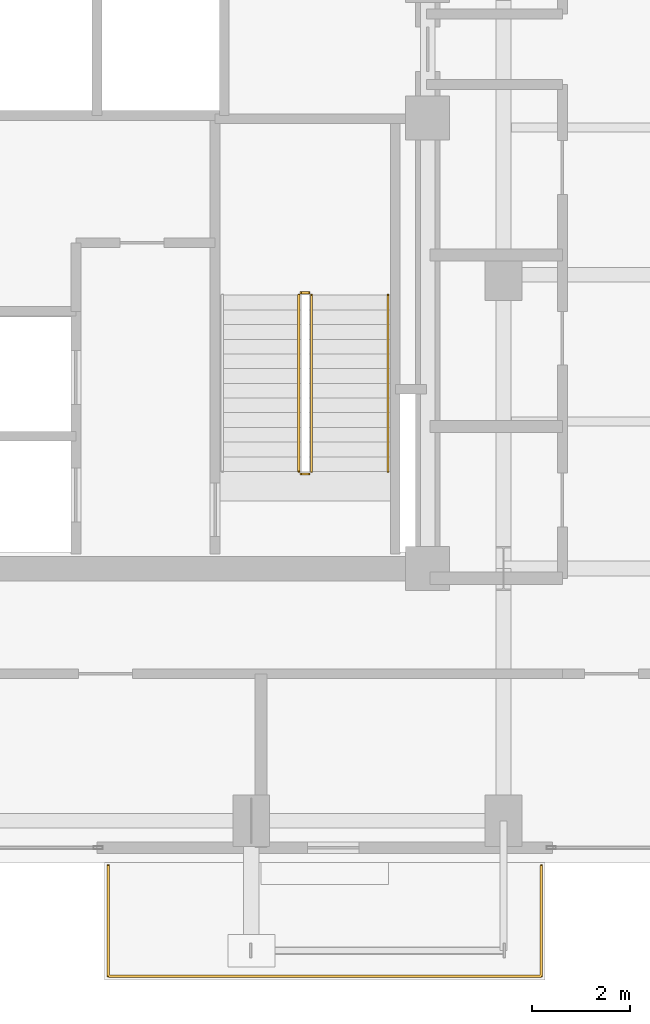
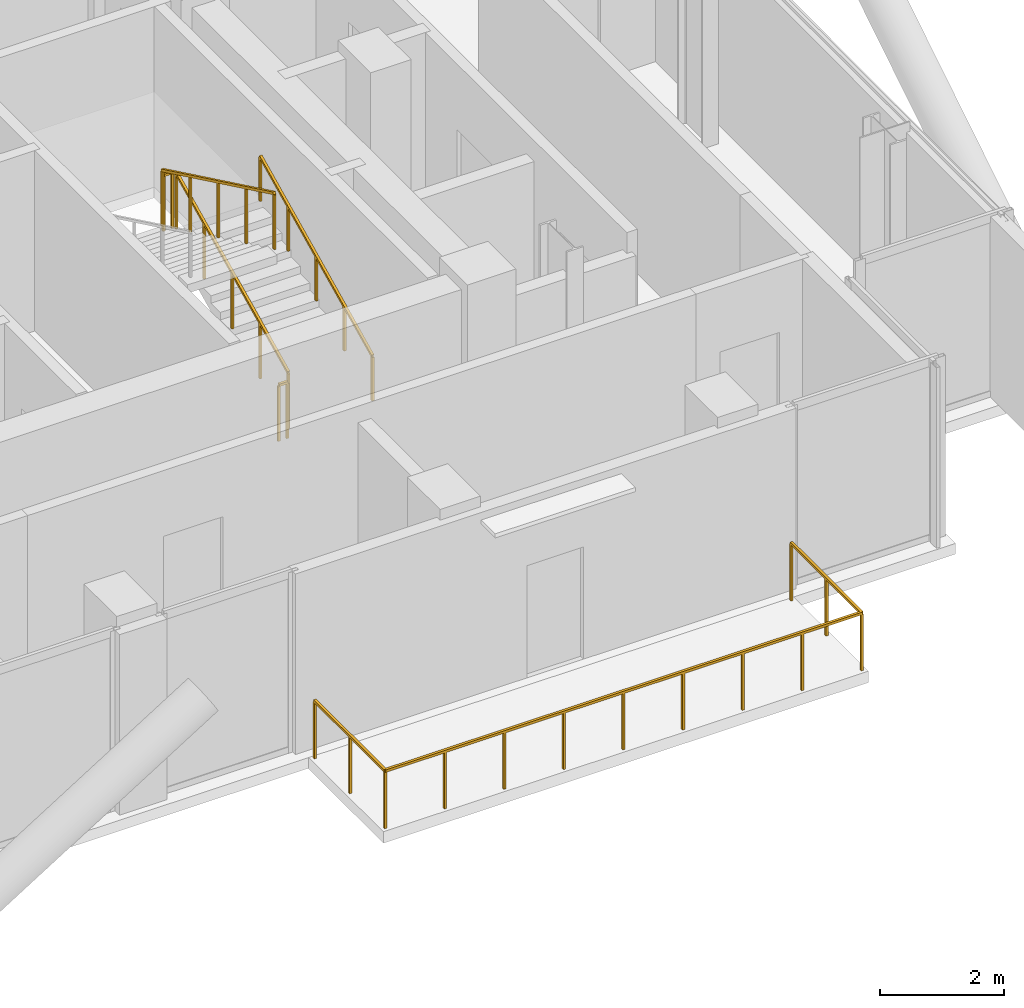
# One storey, part 26 of 26: 6 railings.
"""IFC4 building model written with IfcOpenShell, lengths in metres."""

import ifcopenshell
import ifcopenshell.guid

model = None  # the IFC model being written
_history = None  # IfcOwnerHistory: only IFC2X3 demands one
_inside = {}  # id of a spatial element -> (the spatial element, [elements in it])
_under = {}  # id of a project, library or spatial element -> (it, [spatial elements below it])
_declared = {}  # id of a project -> (the project, [libraries it declares])
_typed = {}  # id of a type object -> (the type object, [elements of that type])
_made_of = {}  # id of a material, layer set ... -> (it, [elements and type objects made of it])


def new_model(schema):
    """Start an empty IFC model of exactly this schema.

    Asked for "IFC4X3", IfcOpenShell would pick the latest addendum, in which some entities
    have other attributes; the version numbers below select the first issue.
    IFC2X3 requires an IfcOwnerHistory on every rooted entity: one is made here for all.
    """
    global model, _history
    if schema == "IFC4X3":
        model = ifcopenshell.file(schema_version=(4, 3, 0, 0))
    else:
        model = ifcopenshell.file(schema=schema)
    _inside.clear()
    _under.clear()
    _declared.clear()
    _typed.clear()
    _made_of.clear()
    _history = None
    if model.schema == "IFC2X3":
        org = make("IfcOrganization", Name="unknown")
        user = make(
            "IfcPersonAndOrganization",
            ThePerson=make("IfcPerson", FamilyName="unknown"),
            TheOrganization=org,
        )
        app = make(
            "IfcApplication",
            ApplicationDeveloper=org,
            Version="unknown",
            ApplicationFullName="unknown",
            ApplicationIdentifier="unknown",
        )
        _history = make(
            "IfcOwnerHistory",
            OwningUser=user,
            OwningApplication=app,
            ChangeAction="ADDED",
            CreationDate=0,
        )
    return model


def make(cls, **values):
    """One entity of the class cls with the attributes given. An attribute that is None is left unset."""
    return model.create_entity(
        cls, **{name: value for name, value in values.items() if value is not None}
    )


def rooted(cls, **values):
    """An entity with a GlobalId (a new one), such as an element, a storey or a relation."""
    return make(cls, GlobalId=ifcopenshell.guid.new(), OwnerHistory=_history, **values)


def si_unit(unit_type, name, prefix=None):
    """IfcSIUnit, for example si_unit("LENGTHUNIT", "METRE", prefix="MILLI")."""
    return make("IfcSIUnit", UnitType=unit_type, Prefix=prefix, Name=name)


def assignment(units):
    """IfcUnitAssignment: the units of a project."""
    return None if units is None else make("IfcUnitAssignment", Units=units)


def point(xyz):
    """IfcCartesianPoint."""
    return None if xyz is None else make("IfcCartesianPoint", Coordinates=xyz)


def direction(xyz):
    """IfcDirection."""
    return None if xyz is None else make("IfcDirection", DirectionRatios=xyz)


def frame(location, z_axis=None, x_axis=None):
    """IfcAxis2Placement3D, a coordinate frame: its origin and axes. An axis left out is left unset."""
    return make(
        "IfcAxis2Placement3D",
        Location=point(location),
        Axis=direction(z_axis),
        RefDirection=direction(x_axis),
    )


def frame_2d(location, x_axis=None):
    """IfcAxis2Placement2D, a coordinate frame in the plane: its origin and x axis."""
    return make(
        "IfcAxis2Placement2D", Location=point(location), RefDirection=direction(x_axis)
    )


def origin():
    """The frame at (0, 0, 0) with its axes left unset."""
    return frame((0.0, 0.0, 0.0))


def origin_2d():
    """The frame at (0, 0) in the plane with its x axis left unset."""
    return frame_2d((0.0, 0.0))


def place(relative_to, where):
    """IfcLocalPlacement: puts the frame where relative to a parent placement (None: the world)."""
    return make(
        "IfcLocalPlacement", PlacementRelTo=relative_to, RelativePlacement=where
    )


def context(
    kind, dimensions, precision=None, world=None, true_north=None, identifier=None
):
    """IfcGeometricRepresentationContext, for example the 3D "Model" context."""
    return make(
        "IfcGeometricRepresentationContext",
        ContextIdentifier=identifier,
        ContextType=kind,
        CoordinateSpaceDimension=dimensions,
        Precision=precision,
        WorldCoordinateSystem=world,
        TrueNorth=true_north,
    )


def subcontext(parent, identifier, kind, view, scale=None):
    """IfcGeometricRepresentationSubContext, for example "Body" below "Model"."""
    return make(
        "IfcGeometricRepresentationSubContext",
        ContextIdentifier=identifier,
        ContextType=kind,
        ParentContext=parent,
        TargetScale=scale,
        TargetView=view,
    )


def project(units=None, contexts=None):
    """IfcProject with its units and contexts."""
    return rooted(
        "IfcProject",
        Name="project",
        RepresentationContexts=contexts,
        UnitsInContext=assignment(units),
    )


def spatial(cls, under=None, at=None, **own):
    """A site, building, storey or space (cls), placed at a placement, below another one or the project."""
    s = rooted(cls, ObjectPlacement=at, **own)
    if under is not None:
        _under.setdefault(under.id(), (under, []))[1].append(s)
    return s


def profile(cls, at=None, kind="AREA", **sizes):
    """A parametric profile (cls). Its sizes go by their IFC names, for example OverallWidth=200.0."""
    return make(cls, ProfileType=kind, Position=at, **sizes)


def rectangle(**sizes):
    """IfcRectangleProfileDef."""
    return profile("IfcRectangleProfileDef", **sizes)


def extrude(swept, where, along, depth):
    """IfcExtrudedAreaSolid: the profile swept, set in the frame where, extruded along a direction by depth."""
    return make(
        "IfcExtrudedAreaSolid",
        SweptArea=swept,
        Position=where,
        ExtrudedDirection=direction(along),
        Depth=depth,
    )


def shape(context_of_items, identifier, shape_type, items):
    """IfcShapeRepresentation: the items that make up one representation, for example the "Body"."""
    return make(
        "IfcShapeRepresentation",
        ContextOfItems=context_of_items,
        RepresentationIdentifier=identifier,
        RepresentationType=shape_type,
        Items=items,
    )


def material(Name=None, Category=None):
    """IfcMaterial."""
    return make("IfcMaterial", Name=Name, Category=Category)


def made_of(thing, what):
    """Note that an element or type object is made of a material, layer set ...; save() writes the relation."""
    if what is not None:
        _made_of.setdefault(what.id(), (what, []))[1].append(thing)
    return thing


def type_object(cls, material=None, **own):
    """A type object (cls), such as IfcWallType, which elements share."""
    return made_of(rooted(cls, **own), material)


def element(
    cls,
    number,
    at=None,
    inside=None,
    cuts=None,
    type_object=None,
    material=None,
    context=None,
    identifier="Body",
    shape_type=None,
    held_by="IfcProductDefinitionShape",
    body=None,
    shapes=None,
    **own,
):
    """One element of the class cls, such as IfcWall. Its Tag is "e" and its number.

    at: its placement. inside: the storey or other place that contains it. cuts: it is an
    opening in that element (IfcRelVoidsElement). A single representation is given by context,
    identifier, shape_type and body (its items); several are given by shapes. held_by: the class
    of the entity that holds the representations. save() writes the other relations.
    """
    e = rooted(cls, Tag="e%d" % number, ObjectPlacement=at, **own)
    if body is not None:
        shapes = [shape(context, identifier, shape_type, body)]
    if shapes is not None:
        e.Representation = make(held_by, Representations=shapes)
    if inside is not None:
        _inside.setdefault(inside.id(), (inside, []))[1].append(e)
    if cuts is not None:
        rooted(
            "IfcRelVoidsElement", RelatingBuildingElement=cuts, RelatedOpeningElement=e
        )
    if type_object is not None:
        _typed.setdefault(type_object.id(), (type_object, []))[1].append(e)
    return made_of(e, material)


def aggregate(whole, parts):
    """IfcRelAggregates: a whole, such as a stair, and the parts it consists of."""
    return rooted("IfcRelAggregates", RelatingObject=whole, RelatedObjects=parts)


def save(model, path):
    """Write the relations noted so far, then the file.

    IfcRelAggregates (storeys below a building ...), IfcRelContainedInSpatialStructure (elements
    in a storey), IfcRelDefinesByType, IfcRelAssociatesMaterial and IfcRelDeclares: one each for
    every whole, place, type object, material and project.
    """
    for whole, parts in _under.values():
        aggregate(whole, parts)
    for where, things in _inside.values():
        rooted(
            "IfcRelContainedInSpatialStructure",
            RelatedElements=things,
            RelatingStructure=where,
        )
    for kind, things in _typed.values():
        rooted("IfcRelDefinesByType", RelatedObjects=things, RelatingType=kind)
    for what, things in _made_of.values():
        rooted("IfcRelAssociatesMaterial", RelatedObjects=things, RelatingMaterial=what)
    for by, libraries in _declared.values():
        rooted("IfcRelDeclares", RelatingContext=by, RelatedDefinitions=libraries)
    model.write(path)


model = new_model("IFC4")

# Units and contexts
model_context = context("Model", 3, precision=1e-05, world=origin(), true_north=direction((0.0, 1.0)))
body_context = subcontext(model_context, "Body", "Model", "MODEL_VIEW")
ifc_project = project(units=[si_unit("LENGTHUNIT", "METRE"), si_unit("AREAUNIT", "SQUARE_METRE"), si_unit("VOLUMEUNIT", "CUBIC_METRE"), si_unit("PLANEANGLEUNIT", "RADIAN"), si_unit("MASSUNIT", "GRAM", prefix="KILO"), si_unit("THERMODYNAMICTEMPERATUREUNIT", "KELVIN"), si_unit("POWERUNIT", "WATT")], contexts=[model_context])

# Site, building, storey
site_placement = place(None, origin())
site = spatial("IfcSite", under=ifc_project, at=site_placement, CompositionType="ELEMENT")
building_placement = place(site_placement, origin())
building = spatial("IfcBuilding", under=site, at=building_placement, Name="Svarakhadi Broadcast Tower", CompositionType="ELEMENT")
storey_placement = place(building_placement, frame((0.0, 0.0, 180.449951171875)))
storey = spatial("IfcBuildingStorey", under=building, at=storey_placement, Name="L44", CompositionType="ELEMENT", Elevation=180.449951171875)

# Railings
ifc_material_1 = material(Name="Laminated Structural SentryGlas Balustrade 25.5 mm", Category="glass")
railing_type_1 = type_object("IfcRailingType", Name="Guard_Balcony_GR01", PredefinedType="BALUSTRADE", material=ifc_material_1)
railing_1_placement = place(storey_placement, frame((27.080078125, -0.06005859375, 0.0)))
element("IfcRailing", 1, at=railing_1_placement, inside=storey, type_object=railing_type_1, Name="L44 South Tree Balcony Guard GR-05", PredefinedType="BALUSTRADE", context=body_context, shape_type="SweptSolid", body=[
    extrude(rectangle(XDim=0.048095703125, YDim=0.048095703125, at=origin_2d()), frame((0.0, 0.0, 1.1259765625), z_axis=(0.0, -1.0, 0.0), x_axis=(1.0, 0.0, 0.0)), (0.0, 0.0, 1.0), 2.260009765625),
    extrude(rectangle(XDim=0.048095703125, YDim=0.048095703125, at=origin_2d()), frame((0.0, -2.260009765625, 1.1259765625), z_axis=(1.0, 0.0, 0.0), x_axis=(0.0, 1.0, 0.0)), (0.0, 0.0, 1.0), 8.83984375),
    extrude(rectangle(XDim=0.048095703125, YDim=0.048095703125, at=origin_2d()), frame((8.83984375, -2.260009765625, 1.1259765625), z_axis=(0.0, 1.0, 0.0), x_axis=(-1.0, 0.0, 0.0)), (0.0, 0.0, 1.0), 2.260009765625),
    extrude(rectangle(XDim=0.0419921875, YDim=0.0419921875, at=origin_2d()), origin(), (0.0, 0.0, 1.0), 1.101806640625),
    extrude(rectangle(XDim=0.0419921875, YDim=0.0419921875, at=origin_2d()), frame((0.0, -1.1298828125, 0.0)), (0.0, 0.0, 1.0), 1.101806640625),
    extrude(rectangle(XDim=0.0419921875, YDim=0.0419921875, at=origin_2d()), frame((0.0, -2.260009765625, 0.0)), (0.0, 0.0, 1.0), 1.101806640625),
    extrude(rectangle(XDim=0.0419921875, YDim=0.0419921875, at=origin_2d()), frame((1.10498046875, -2.260009765625, 0.0)), (0.0, 0.0, 1.0), 1.101806640625),
    extrude(rectangle(XDim=0.0419921875, YDim=0.0419921875, at=origin_2d()), frame((2.2099609375, -2.260009765625, 0.0)), (0.0, 0.0, 1.0), 1.101806640625),
    extrude(rectangle(XDim=0.0419921875, YDim=0.0419921875, at=origin_2d()), frame((3.31494140625, -2.260009765625, 0.0)), (0.0, 0.0, 1.0), 1.101806640625),
    extrude(rectangle(XDim=0.0419921875, YDim=0.0419921875, at=origin_2d()), frame((4.419921875, -2.260009765625, 0.0)), (0.0, 0.0, 1.0), 1.101806640625),
    extrude(rectangle(XDim=0.0419921875, YDim=0.0419921875, at=origin_2d()), frame((5.52490234375, -2.260009765625, 0.0)), (0.0, 0.0, 1.0), 1.101806640625),
    extrude(rectangle(XDim=0.0419921875, YDim=0.0419921875, at=origin_2d()), frame((6.6298828125, -2.260009765625, 0.0)), (0.0, 0.0, 1.0), 1.101806640625),
    extrude(rectangle(XDim=0.0419921875, YDim=0.0419921875, at=origin_2d()), frame((7.73486328125, -2.260009765625, 0.0)), (0.0, 0.0, 1.0), 1.101806640625),
    extrude(rectangle(XDim=0.0419921875, YDim=0.0419921875, at=origin_2d()), frame((8.83984375, -2.260009765625, 0.0)), (0.0, 0.0, 1.0), 1.101806640625),
    extrude(rectangle(XDim=0.0419921875, YDim=0.0419921875, at=origin_2d()), frame((8.83984375, -1.1298828125, 0.0)), (0.0, 0.0, 1.0), 1.101806640625),
    extrude(rectangle(XDim=0.0419921875, YDim=0.0419921875, at=origin_2d()), frame((8.83984375, 0.0, 0.0)), (0.0, 0.0, 1.0), 1.101806640625),
])
ifc_material_2 = material(Name="Anodised Bronze Aluminium AA 6063-T6", Category="aluminium")
railing_type_2 = type_object("IfcRailingType", Name="Guard_Stair_GR01", PredefinedType="GUARDRAIL", material=ifc_material_2)
railing_2_placement = place(storey_placement, frame((31.22998046875, 7.97998046875, 0.144287109375)))
element("IfcRailing", 2, at=railing_2_placement, inside=storey, type_object=railing_type_2, Name="L44 ST-02 stair guard 1", PredefinedType="GUARDRAIL", context=body_context, shape_type="SweptSolid", body=[
    extrude(rectangle(XDim=0.048095703125, YDim=0.048095703125, at=origin_2d()), frame((0.0, 0.0, 1.09619140625), z_axis=(0.0, 0.901262522062, 0.433273431364), x_axis=(-1.0, 0.0, 0.0)), (0.0, 0.0, 1.0), 3.994384765625),
    extrude(rectangle(XDim=0.0419921875, YDim=0.0419921875, at=origin_2d()), origin(), (0.0, 0.0, 1.0), 1.072021484375),
    extrude(rectangle(XDim=0.0419921875, YDim=0.0419921875, at=origin_2d()), frame((0.0, 0.89990234375, 0.4326171875)), (0.0, 0.0, 1.0), 1.072021484375),
    extrude(rectangle(XDim=0.0419921875, YDim=0.0419921875, at=origin_2d()), frame((0.0, 1.800048828125, 0.865234375)), (0.0, 0.0, 1.0), 1.072021484375),
    extrude(rectangle(XDim=0.0419921875, YDim=0.0419921875, at=origin_2d()), frame((0.0, 2.7001953125, 1.298095703125)), (0.0, 0.0, 1.0), 1.072021484375),
    extrude(rectangle(XDim=0.0419921875, YDim=0.0419921875, at=origin_2d()), frame((0.0, 3.60009765625, 1.730712890625)), (0.0, 0.0, 1.0), 1.072021484375),
])
railing_3_placement = place(storey_placement, frame((31.179931640625, 11.6298828125, 1.875)))
element("IfcRailing", 3, at=railing_3_placement, inside=storey, type_object=railing_type_2, Name="L44 ST-02 stair guard 2", PredefinedType="GUARDRAIL", context=body_context, shape_type="SweptSolid", body=[
    extrude(rectangle(XDim=0.048095703125, YDim=0.048095703125, at=origin_2d()), frame((0.0, 0.0, 1.09619140625), z_axis=(-1.0, 0.0, 0.0), x_axis=(0.0, -1.0, 0.0)), (0.0, 0.0, 1.0), 0.159912109375),
    extrude(rectangle(XDim=0.0419921875, YDim=0.0419921875, at=origin_2d()), origin(), (0.0, 0.0, 1.0), 1.072021484375),
    extrude(rectangle(XDim=0.0419921875, YDim=0.0419921875, at=origin_2d()), frame((-0.159912109375, 0.0, 0.0)), (0.0, 0.0, 1.0), 1.072021484375),
])
railing_4_placement = place(storey_placement, frame((30.969970703125, 11.580078125, 2.019287109375)))
element("IfcRailing", 4, at=railing_4_placement, inside=storey, type_object=railing_type_2, Name="L44 ST-02 stair guard 3", PredefinedType="GUARDRAIL", context=body_context, shape_type="SweptSolid", body=[
    extrude(rectangle(XDim=0.048095703125, YDim=0.048095703125, at=origin_2d()), frame((0.0, 0.0, 1.09619140625), z_axis=(0.0, -0.901262522062, 0.433273431364), x_axis=(1.0, 0.0, 0.0)), (0.0, 0.0, 1.0), 3.994384765625),
    extrude(rectangle(XDim=0.0419921875, YDim=0.0419921875, at=origin_2d()), origin(), (0.0, 0.0, 1.0), 1.072021484375),
    extrude(rectangle(XDim=0.0419921875, YDim=0.0419921875, at=origin_2d()), frame((0.0, -0.89990234375, 0.4326171875)), (0.0, 0.0, 1.0), 1.072021484375),
    extrude(rectangle(XDim=0.0419921875, YDim=0.0419921875, at=origin_2d()), frame((0.0, -1.800048828125, 0.865234375)), (0.0, 0.0, 1.0), 1.072021484375),
    extrude(rectangle(XDim=0.0419921875, YDim=0.0419921875, at=origin_2d()), frame((0.0, -2.7001953125, 1.298095703125)), (0.0, 0.0, 1.0), 1.072021484375),
    extrude(rectangle(XDim=0.0419921875, YDim=0.0419921875, at=origin_2d()), frame((0.0, -3.60009765625, 1.730712890625)), (0.0, 0.0, 1.0), 1.072021484375),
])
railing_5_placement = place(storey_placement, frame((31.179931640625, 7.929931640625, 0.0)))
element("IfcRailing", 5, at=railing_5_placement, inside=storey, type_object=railing_type_2, Name="L44 ST-02 stair guard 4", PredefinedType="GUARDRAIL", context=body_context, shape_type="SweptSolid", body=[
    extrude(rectangle(XDim=0.048095703125, YDim=0.048095703125, at=origin_2d()), frame((0.0, 0.0, 1.09619140625), z_axis=(-1.0, 0.0, 0.0), x_axis=(0.0, -1.0, 0.0)), (0.0, 0.0, 1.0), 0.159912109375),
    extrude(rectangle(XDim=0.0419921875, YDim=0.0419921875, at=origin_2d()), origin(), (0.0, 0.0, 1.0), 1.072021484375),
    extrude(rectangle(XDim=0.0419921875, YDim=0.0419921875, at=origin_2d()), frame((-0.159912109375, 0.0, 0.0)), (0.0, 0.0, 1.0), 1.072021484375),
])
railing_type_3 = type_object("IfcRailingType", Name="Handrail_Stair_HR01", PredefinedType="HANDRAIL", material=ifc_material_2)
railing_6_placement = place(storey_placement, frame((32.7900390625, 7.97998046875, 0.144287109375)))
element("IfcRailing", 6, at=railing_6_placement, inside=storey, type_object=railing_type_3, Name="L44 ST-02 stair handrail 1", PredefinedType="HANDRAIL", context=body_context, shape_type="SweptSolid", body=[
    extrude(rectangle(XDim=0.048095703125, YDim=0.048095703125, at=origin_2d()), frame((0.0, 0.0, 0.8759765625), z_axis=(0.0, 0.901262522062, 0.433273431364), x_axis=(-1.0, 0.0, 0.0)), (0.0, 0.0, 1.0), 3.994384765625),
    extrude(rectangle(XDim=0.0419921875, YDim=0.0419921875, at=origin_2d()), origin(), (0.0, 0.0, 1.0), 0.851806640625),
    extrude(rectangle(XDim=0.0419921875, YDim=0.0419921875, at=origin_2d()), frame((0.0, 0.89990234375, 0.4326171875)), (0.0, 0.0, 1.0), 0.851806640625),
    extrude(rectangle(XDim=0.0419921875, YDim=0.0419921875, at=origin_2d()), frame((0.0, 1.800048828125, 0.865234375)), (0.0, 0.0, 1.0), 0.851806640625),
    extrude(rectangle(XDim=0.0419921875, YDim=0.0419921875, at=origin_2d()), frame((0.0, 2.7001953125, 1.298095703125)), (0.0, 0.0, 1.0), 0.851806640625),
    extrude(rectangle(XDim=0.0419921875, YDim=0.0419921875, at=origin_2d()), frame((0.0, 3.60009765625, 1.730712890625)), (0.0, 0.0, 1.0), 0.851806640625),
])

save(model, "model.ifc")
